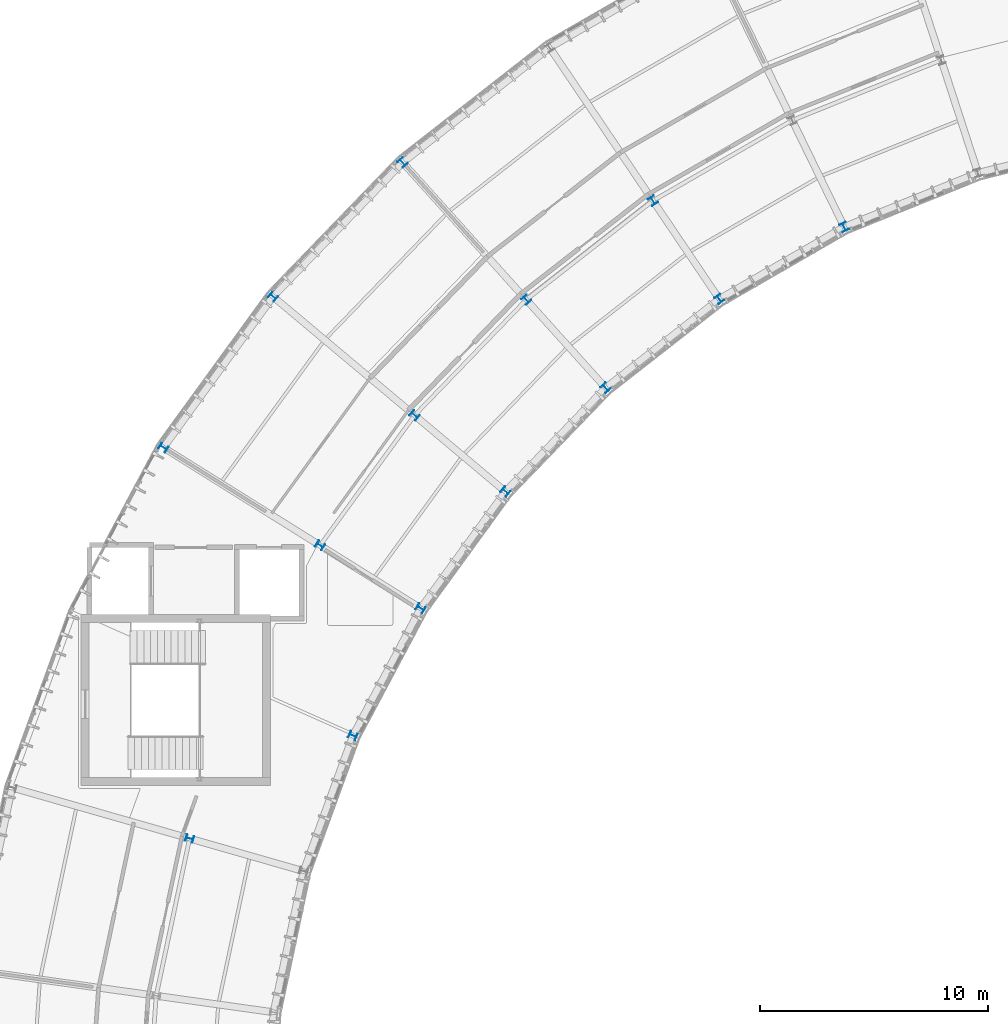
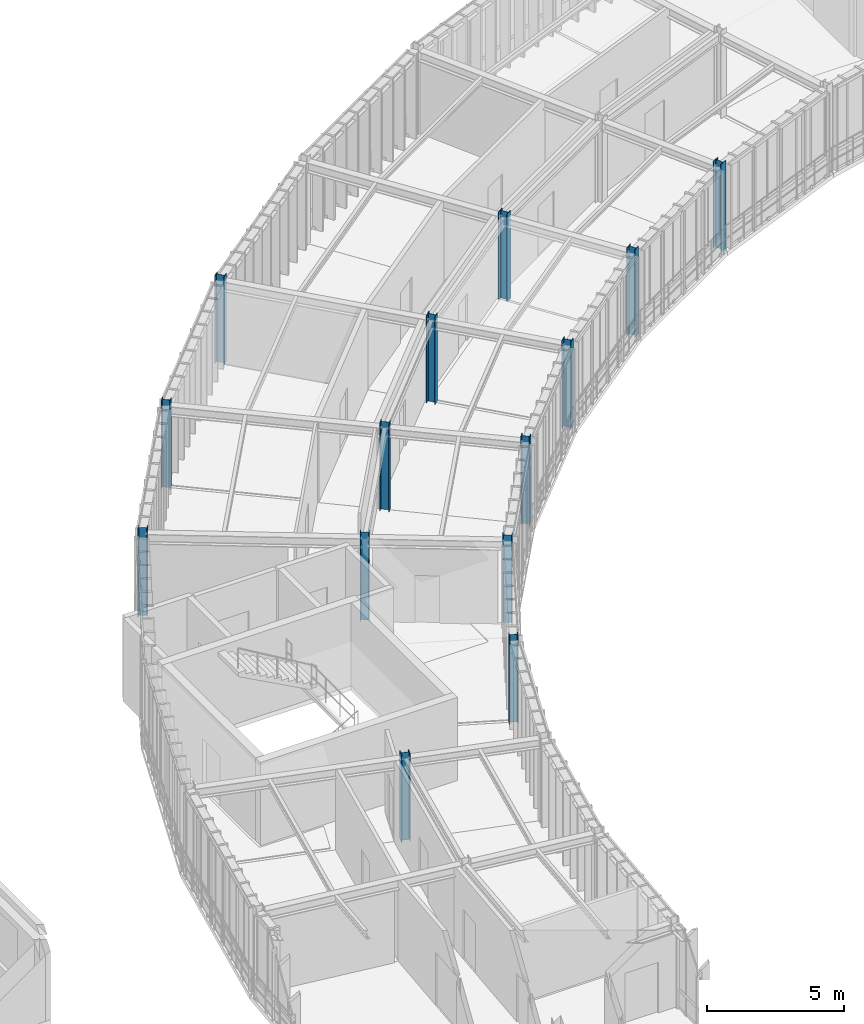
# One storey, part 3 of 41: 14 columns.
"""IFC4 building model written with IfcOpenShell, lengths in metres."""

from ifc_helpers import new_model, si_unit, direction, frame, origin, origin_2d, place, context, subcontext, project, spatial, i_section, extrude, material, material_profile, profile_set, type_object, element, save


model = new_model("IFC4")

# Units and contexts
model_context = context("Model", 3, precision=1e-05, world=origin(), true_north=direction((0.0, 1.0)))
body_context = subcontext(model_context, "Body", "Model", "MODEL_VIEW")
ifc_project = project(units=[si_unit("LENGTHUNIT", "METRE"), si_unit("AREAUNIT", "SQUARE_METRE"), si_unit("VOLUMEUNIT", "CUBIC_METRE"), si_unit("PLANEANGLEUNIT", "RADIAN"), si_unit("MASSUNIT", "GRAM", prefix="KILO"), si_unit("THERMODYNAMICTEMPERATUREUNIT", "KELVIN"), si_unit("POWERUNIT", "WATT")], contexts=[model_context])

# Site, building, storey
site_placement = place(None, origin())
site = spatial("IfcSite", under=ifc_project, at=site_placement, CompositionType="ELEMENT")
building_placement = place(site_placement, origin())
building = spatial("IfcBuilding", under=site, at=building_placement, Name="Solvatero Civic Police Headquarters", CompositionType="ELEMENT")
storey_placement = place(building_placement, frame((0.0, 0.0, 17.699951171875)))
storey = spatial("IfcBuildingStorey", under=building, at=storey_placement, Name="L04", CompositionType="ELEMENT", Elevation=17.699951171875)

# Columns
ifc_material = material(Name="Steel S355", Category="steel")
ifc_material_profile_1 = material_profile(ifc_material, i_section(OverallWidth=0.300048828125, OverallDepth=0.340087890625, WebThickness=0.011962890625, FlangeThickness=0.021484375, FilletRadius=0.027099609375, at=origin_2d()), Name="HEB 340")
ifc_profile_set_1 = profile_set([ifc_material_profile_1], Name="Steel S355")
column_type_1 = type_object("IfcColumnType", Name="COL-ST-HEB340", PredefinedType="COLUMN", material=ifc_profile_set_1)
for number, where, z_axis, x_axis, name in (
    (1, (68.640625, 63.596923828125, 0.0), (0.0, 0.0, 1.0), (0.829037572555, 0.559192903471, 0.0), "Column ARC-S05-IN L04"),
    (2, (60.17529296875, 63.56591796875, 0.0), (0.0, 0.0, 1.0), (0.743144825477, 0.669130606359, 0.0), "Column ARC-S06-MID L04"),
    (3, (59.260009765625, 55.150390625, 0.0), (0.0, 0.0, 1.0), (0.642787609687, 0.766044443119, 0.0), "Column ARC-S07-IN L04"),
    (4, (49.071533203125, 63.699462890625, 0.0), (0.0, 0.0, 1.0), (0.642787609687, 0.766044443119, 0.0), "Column ARC-S07-OUT L04"),
    (5, (51.131103515625, 52.787353515625, 0.0), (0.0, 0.0, 1.0), (0.529919264233, 0.848048096156, 0.0), "Column ARC-S08-MID L04"),
    (6, (52.57080078125, 44.445556640625, 0.0), (0.0, 0.0, 1.0), (0.406736643076, 0.913545457643, 0.0), "Column ARC-S09-IN L04"),
    (7, (45.408203125, 39.93359375, 0.0), (0.0, 0.0, 1.0), (0.275637355817, 0.961261695938, 0.0), "Column ARC-S10-MID L04"),
):
    element("IfcColumn", number, at=place(storey_placement, frame(where, z_axis=z_axis, x_axis=x_axis)), inside=storey, type_object=column_type_1, Name=name, PredefinedType="COLUMN", context=body_context, shape_type="SweptSolid", body=[
        extrude(i_section(OverallWidth=0.300048828125, OverallDepth=0.340087890625, WebThickness=0.011962890625, FlangeThickness=0.021484375, FilletRadius=0.027099609375, at=origin_2d()), origin(), (0.0, 0.0, 1.0), 3.900146484375),
    ])
ifc_material_profile_2 = material_profile(ifc_material, i_section(OverallWidth=0.300048828125, OverallDepth=0.360107421875, WebThickness=0.012451171875, FlangeThickness=0.0224609375, FilletRadius=0.027099609375, at=origin_2d()), Name="HEB 360")
ifc_profile_set_2 = profile_set([ifc_material_profile_2], Name="Steel S355")
column_type_2 = type_object("IfcColumnType", Name="COL-ST-HEB360", PredefinedType="COLUMN", material=ifc_profile_set_2)
for number, where, z_axis, x_axis, name in (
    (8, (74.119873046875, 66.76025390625, 0.0), (0.0, 0.0, 1.0), (0.898794046299, 0.438371146789, 0.0), "Column ARC-S04-IN L04"),
    (9, (65.73291015625, 67.90771484375, 0.0), (0.0, 0.0, 1.0), (0.829037572555, 0.559192903471, 0.0), "Column ARC-S05-MID L04"),
    (10, (63.65478515625, 59.70166015625, 0.0), (0.0, 0.0, 1.0), (0.743144825477, 0.669130606359, 0.0), "Column ARC-S06-IN L04"),
    (11, (54.755615234375, 69.58544921875, 0.0), (0.0, 0.0, 1.0), (0.743144825477, 0.669130606359, 0.0), "Column ARC-S06-OUT L04"),
    (12, (55.276611328125, 58.492919921875, 0.0), (0.0, 0.0, 1.0), (0.642787609687, 0.766044443119, 0.0), "Column ARC-S07-MID L04"),
    (13, (55.541015625, 50.03173828125, 0.0), (0.0, 0.0, 1.0), (0.529919264233, 0.848048096156, 0.0), "Column ARC-S08-IN L04"),
    (14, (44.261962890625, 57.079833984375, 0.0), (0.0, 0.0, 1.0), (0.529919264233, 0.848048096156, 0.0), "Column ARC-S08-OUT L04"),
):
    element("IfcColumn", number, at=place(storey_placement, frame(where, z_axis=z_axis, x_axis=x_axis)), inside=storey, type_object=column_type_2, Name=name, PredefinedType="COLUMN", context=body_context, shape_type="SweptSolid", body=[
        extrude(i_section(OverallWidth=0.300048828125, OverallDepth=0.360107421875, WebThickness=0.012451171875, FlangeThickness=0.0224609375, FilletRadius=0.027099609375, at=origin_2d()), origin(), (0.0, 0.0, 1.0), 3.900146484375),
    ])

save(model, "model.ifc")
